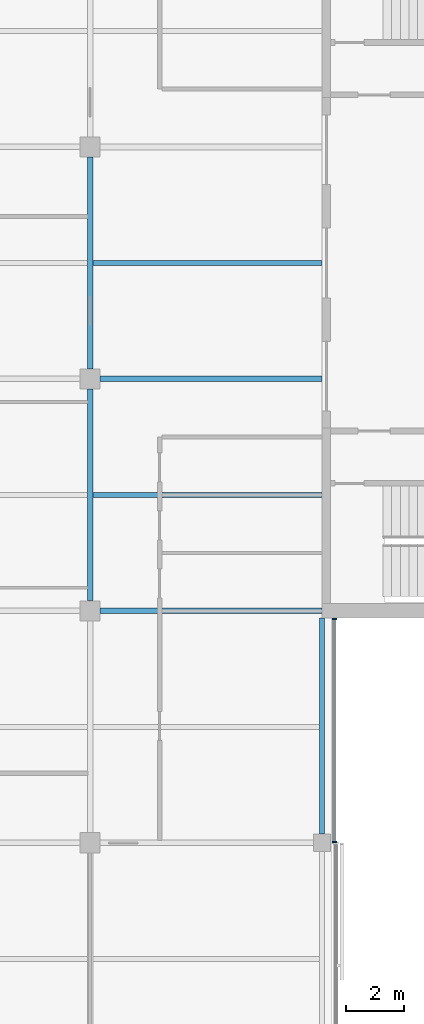
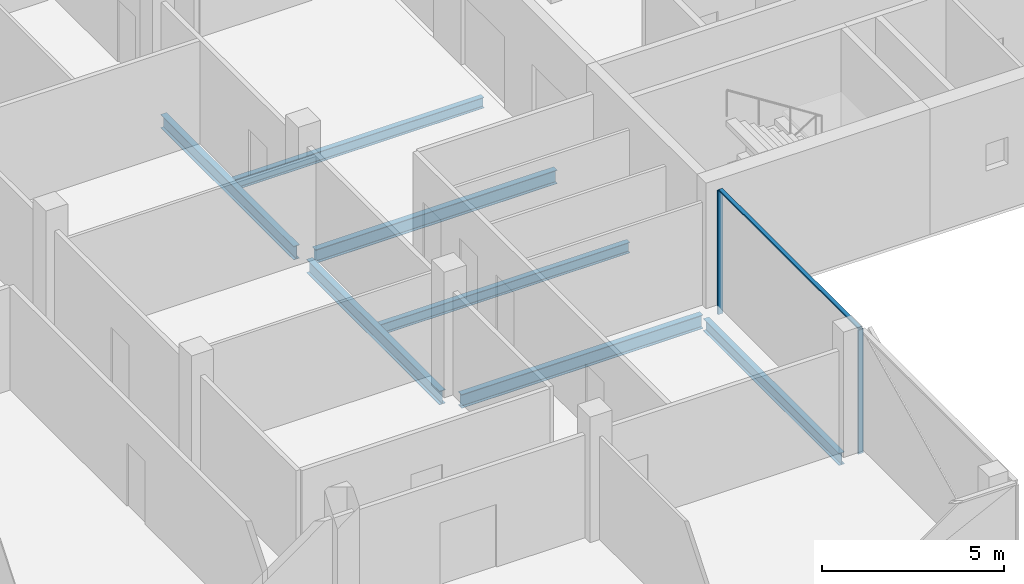
# One storey, part 4 of 15: 7 beams, 3 members, 1 element without a shape of its own.
"""IFC4 building model written with IfcOpenShell, lengths in metres."""

from ifc_helpers import new_model, si_unit, direction, frame, origin, origin_2d, place, context, subcontext, project, spatial, rectangle, i_section, extrude, material, material_profile, profile_set, type_object, element, aggregate, save


model = new_model("IFC4")

# Units and contexts
model_context = context("Model", 3, precision=1e-05, world=origin(), true_north=direction((0.0, 1.0)))
body_context = subcontext(model_context, "Body", "Model", "MODEL_VIEW")
ifc_project = project(units=[si_unit("LENGTHUNIT", "METRE"), si_unit("AREAUNIT", "SQUARE_METRE"), si_unit("VOLUMEUNIT", "CUBIC_METRE"), si_unit("PLANEANGLEUNIT", "RADIAN"), si_unit("MASSUNIT", "GRAM", prefix="KILO")], contexts=[model_context])

# Site, building, storey
site_placement = place(None, origin())
site = spatial("IfcSite", under=ifc_project, at=site_placement, CompositionType="ELEMENT")
building_placement = place(site_placement, origin())
building = spatial("IfcBuilding", under=site, at=building_placement, Name="Crosswind Convention Tower", CompositionType="ELEMENT")
storey_placement = place(building_placement, frame((0.0, 0.0, 261.89990234375)))
storey = spatial("IfcBuildingStorey", under=building, at=storey_placement, Name="L56", CompositionType="ELEMENT", Elevation=261.89990234375)

# Beams
ifc_material_1 = material(Name="Steel S355", Category="steel")
ifc_material_profile_1 = material_profile(ifc_material_1, i_section(OverallWidth=0.177734375, OverallDepth=0.406494140625, WebThickness=0.0078125, FlangeThickness=0.0126953125, FilletRadius=0.01025390625, at=origin_2d()), Name="UB 406x178x60")
ifc_profile_set_1 = profile_set([ifc_material_profile_1], Name="Steel S355")
beam_type_1 = type_object("IfcBeamType", Name="Edge beam UB 406x178x60", PredefinedType="SPANDREL", material=ifc_profile_set_1)
beam_placement = place(storey_placement, frame((137.0, 80.300048828125, -0.503173828125), z_axis=(0.0, 1.0, 0.0), x_axis=(-1.0, 0.0, 0.0)))
element("IfcBeam", 1, at=beam_placement, inside=storey, type_object=beam_type_1, Name="B15 L56 edge beam 12", PredefinedType="SPANDREL", context=body_context, shape_type="SweptSolid", body=[
    extrude(i_section(OverallWidth=0.177734375, OverallDepth=0.406494140625, WebThickness=0.0078125, FlangeThickness=0.0126953125, FilletRadius=0.01025390625, at=origin_2d()), origin(), (0.0, 0.0, 1.0), 7.449951171875),
])
ifc_material_profile_2 = material_profile(ifc_material_1, i_section(OverallWidth=0.18994140625, OverallDepth=0.45361328125, WebThickness=0.008544921875, FlangeThickness=0.0126953125, FilletRadius=0.01025390625, at=origin_2d()), Name="UB 457x191x67")
ifc_profile_set_2 = profile_set([ifc_material_profile_2], Name="Steel S355")
beam_type_2 = type_object("IfcBeamType", Name="Girder UB 457x191x67", PredefinedType="BEAM", material=ifc_profile_set_2)
for number, where, z_axis, x_axis, name in (
    (2, (129.0, 88.35009765625, -0.526611328125), (0.0, 1.0, 0.0), (-1.0, 0.0, 0.0), "B1 L56 girder 18"),
    (3, (129.0, 96.35009765625, -0.526611328125), (0.0, 1.0, 0.0), (-1.0, 0.0, 0.0), "B1 L56 girder 19"),
):
    element("IfcBeam", number, at=place(storey_placement, frame(where, z_axis=z_axis, x_axis=x_axis)), inside=storey, type_object=beam_type_2, Name=name, PredefinedType="BEAM", context=body_context, shape_type="SweptSolid", body=[
        extrude(i_section(OverallWidth=0.18994140625, OverallDepth=0.45361328125, WebThickness=0.008544921875, FlangeThickness=0.0126953125, FilletRadius=0.01025390625, at=origin_2d()), origin(), (0.0, 0.0, 1.0), 7.2998046875),
    ])
ifc_material_profile_3 = material_profile(ifc_material_1, i_section(OverallWidth=0.1904296875, OverallDepth=0.457275390625, WebThickness=0.009033203125, FlangeThickness=0.014404296875, FilletRadius=0.01025390625, at=origin_2d()), Name="UB 457x191x75")
ifc_profile_set_3 = profile_set([ifc_material_profile_3], Name="Steel S355")
beam_type_3 = type_object("IfcBeamType", Name="Girder at core wall UB 457x191x75", PredefinedType="BEAM", material=ifc_profile_set_3)
for number, where, z_axis, x_axis, name in (
    (4, (129.35009765625, 88.0, -0.528564453125), (1.0, 0.0, 0.0), (0.0, 1.0, 0.0), "B22 L56 girder at core wall 5"),
    (5, (129.35009765625, 96.0, -0.528564453125), (1.0, 0.0, 0.0), (0.0, 1.0, 0.0), "B22 L56 girder at core wall 6"),
):
    element("IfcBeam", number, at=place(storey_placement, frame(where, z_axis=z_axis, x_axis=x_axis)), inside=storey, type_object=beam_type_3, Name=name, PredefinedType="BEAM", context=body_context, shape_type="SweptSolid", body=[
        extrude(i_section(OverallWidth=0.1904296875, OverallDepth=0.457275390625, WebThickness=0.009033203125, FlangeThickness=0.014404296875, FilletRadius=0.01025390625, at=origin_2d()), origin(), (0.0, 0.0, 1.0), 7.64990234375),
    ])

# Curtain wall, members
ifc_material_2 = material(Name="Aluminium unitised curtain wall", Category="aluminium")
curtain_wall_type = type_object("IfcCurtainWallType", Name="CORE END SLOT WALL 160", PredefinedType="USERDEFINED", material=ifc_material_2)
curtain_wall_placement = place(storey_placement, origin())
curtain_wall = element("IfcCurtainWall", 6, at=curtain_wall_placement, inside=storey, type_object=curtain_wall_type, Name="CW6 L56 S-E.1-2 slot", ObjectType="UNITISED", PredefinedType="USERDEFINED")
ifc_material_3 = material(Name="Aluminium mullion", Category="aluminium")
ifc_material_profile_4 = material_profile(ifc_material_3, rectangle(XDim=0.159912109375, YDim=0.050048828125, at=origin_2d()), Name="AL 160X50")
ifc_profile_set_4 = profile_set([ifc_material_profile_4], Name="Aluminium mullion")
member_type_1 = type_object("IfcMemberType", Name="MULLION 50X160", PredefinedType="MULLION", material=ifc_profile_set_4)
member_1_placement = place(storey_placement, frame((137.429931640625, 80.02490234375, -0.2998046875), z_axis=(0.0, 0.0, 1.0), x_axis=(1.0, 0.0, 0.0)))
member_1 = element("IfcMember", 7, at=member_1_placement, type_object=member_type_1, Name="CW6 mullion 1", PredefinedType="MULLION", context=body_context, shape_type="SweptSolid", body=[
    extrude(rectangle(XDim=0.159912109375, YDim=0.050048828125, at=origin_2d()), origin(), (0.0, 0.0, 1.0), 4.14990234375),
])
member_2_placement = place(storey_placement, frame((137.429931640625, 87.72509765625, -0.2998046875), z_axis=(0.0, 0.0, 1.0), x_axis=(1.0, 0.0, 0.0)))
member_2 = element("IfcMember", 8, at=member_2_placement, type_object=member_type_1, Name="CW6 mullion 2", PredefinedType="MULLION", context=body_context, shape_type="SweptSolid", body=[
    extrude(rectangle(XDim=0.159912109375, YDim=0.050048828125, at=origin_2d()), origin(), (0.0, 0.0, 1.0), 4.14990234375),
])

# Beams
ifc_material_profile_5 = material_profile(ifc_material_1, i_section(OverallWidth=0.17138671875, OverallDepth=0.355712890625, WebThickness=0.00732421875, FlangeThickness=0.011474609375, FilletRadius=0.01025390625, at=origin_2d()), Name="UB 356x171x51")
ifc_profile_set_5 = profile_set([ifc_material_profile_5], Name="Steel S355")
beam_type_4 = type_object("IfcBeamType", Name="Secondary beam UB 356x171x51", PredefinedType="JOIST", material=ifc_profile_set_5)
for number, where, z_axis, x_axis, name in (
    (9, (129.094970703125, 92.0, -0.477783203125), (1.0, 0.0, 0.0), (0.0, 1.0, 0.0), "B8 L56 secondary beam 17"),
    (10, (129.094970703125, 100.0, -0.477783203125), (1.0, 0.0, 0.0), (0.0, 1.0, 0.0), "B8 L56 secondary beam 18"),
):
    element("IfcBeam", number, at=place(storey_placement, frame(where, z_axis=z_axis, x_axis=x_axis)), inside=storey, type_object=beam_type_4, Name=name, PredefinedType="JOIST", context=body_context, shape_type="SweptSolid", body=[
        extrude(i_section(OverallWidth=0.17138671875, OverallDepth=0.355712890625, WebThickness=0.00732421875, FlangeThickness=0.011474609375, FilletRadius=0.01025390625, at=origin_2d()), origin(), (0.0, 0.0, 1.0), 7.905029296875),
    ])

# Member
ifc_material_4 = material(Name="Aluminium transom", Category="aluminium")
ifc_material_profile_6 = material_profile(ifc_material_4, rectangle(XDim=0.1201171875, YDim=0.050048828125, at=origin_2d()), Name="AL 120X50")
ifc_profile_set_6 = profile_set([ifc_material_profile_6], Name="Aluminium transom")
member_type_2 = type_object("IfcMemberType", Name="TRANSOM 50X120", PredefinedType="USERDEFINED", material=ifc_profile_set_6)
member_3_placement = place(storey_placement, frame((137.429931640625, 80.050048828125, 3.875), z_axis=(0.0, 1.0, 0.0), x_axis=(-1.0, 0.0, 0.0)))
member_3 = element("IfcMember", 11, at=member_3_placement, type_object=member_type_2, Name="CW6 transom", ObjectType="TRANSOM", PredefinedType="USERDEFINED", context=body_context, shape_type="SweptSolid", body=[
    extrude(rectangle(XDim=0.1201171875, YDim=0.050048828125, at=origin_2d()), origin(), (0.0, 0.0, 1.0), 7.64990234375),
])

aggregate(curtain_wall, [member_1, member_2, member_3])

save(model, "model.ifc")
